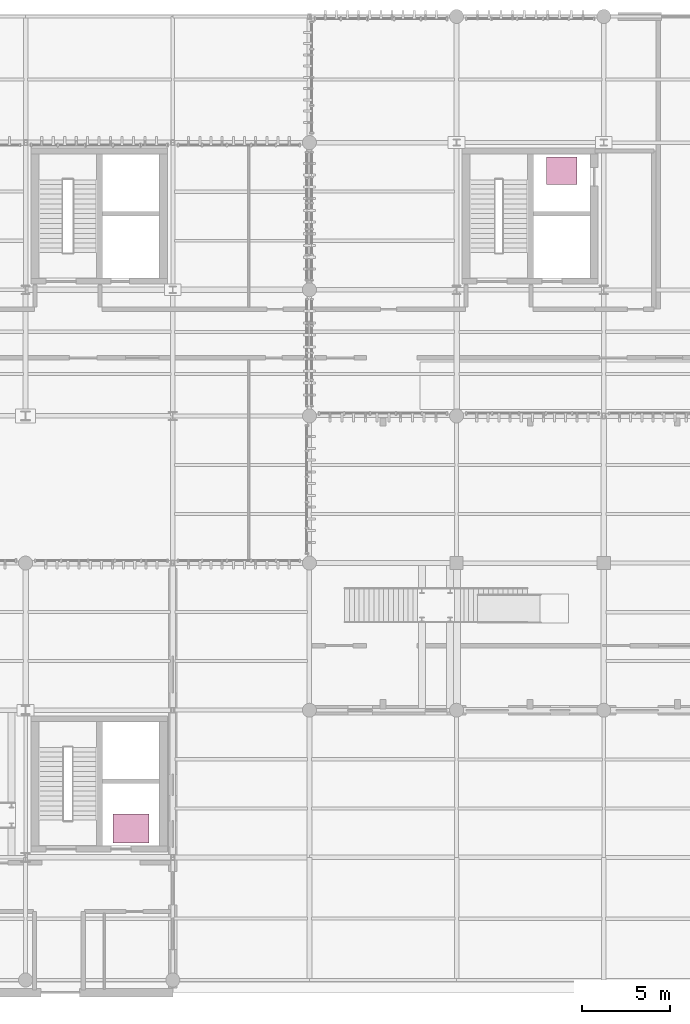
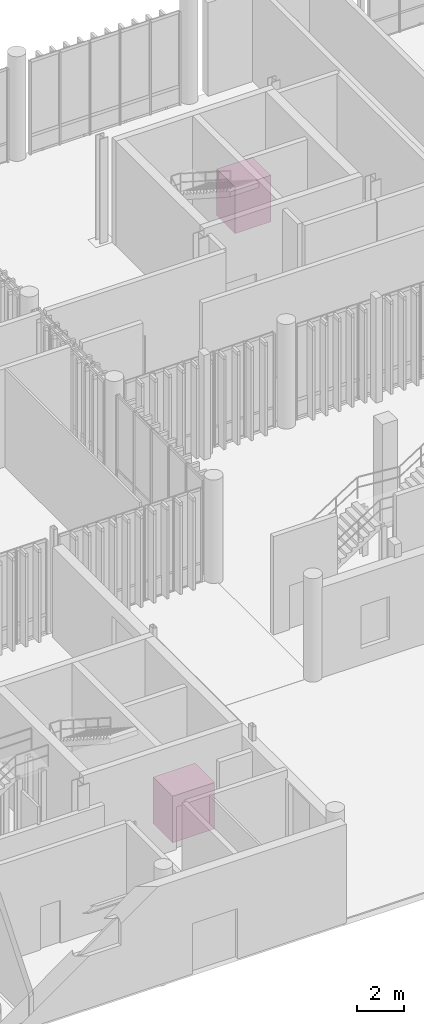
# One storey, part 112 of 112: 2 transport elements.
"""IFC4 building model written with IfcOpenShell, lengths in metres."""

from ifc_helpers import new_model, si_unit, direction, frame, origin_with_axes, origin_2d_with_axis, place, context, subcontext, project, spatial, rectangle, extrude, material, type_object, element, save


model = new_model("IFC4")

# Units and contexts
model_context = context("Model", 3, precision=1e-05, world=origin_with_axes(), true_north=direction((0.0, 1.0)))
body_context = subcontext(model_context, "Body", "Model", "MODEL_VIEW")
ifc_project = project(units=[si_unit("LENGTHUNIT", "METRE"), si_unit("AREAUNIT", "SQUARE_METRE"), si_unit("VOLUMEUNIT", "CUBIC_METRE"), si_unit("PLANEANGLEUNIT", "RADIAN"), si_unit("MASSUNIT", "GRAM", prefix="KILO"), si_unit("THERMODYNAMICTEMPERATUREUNIT", "KELVIN")], contexts=[model_context])

# Site, building, storey
site_placement = place(None, origin_with_axes())
site = spatial("IfcSite", under=ifc_project, at=site_placement, CompositionType="ELEMENT")
building_placement = place(site_placement, origin_with_axes())
building = spatial("IfcBuilding", under=site, at=building_placement, Name="Montbau Bow Law Courts", CompositionType="ELEMENT")
storey_placement = place(building_placement, origin_with_axes())
storey = spatial("IfcBuildingStorey", under=building, at=storey_placement, Name="L00", CompositionType="ELEMENT", Elevation=0.0)

# Transport elements
ifc_material_1 = material(Name="Bronze-Panelled Judicial Restricted Elevator Cab", Category="steel")
transport_element_type_1 = type_object("IfcTransportElementType", Name="ELV-JUD-1600", PredefinedType="ELEVATOR", material=ifc_material_1)
transport_element_1_placement = place(None, frame((61.205, 52.995, 0.0), z_axis=(0.0, 0.0, 1.0), x_axis=(1.0, 0.0, 0.0)))
element("IfcTransportElement", 1, at=transport_element_1_placement, inside=storey, type_object=transport_element_type_1, Name="Elevator EL-J3 car", PredefinedType="ELEVATOR", context=body_context, shape_type="SweptSolid", body=[
    extrude(rectangle(XDim=1.75, YDim=1.55, at=origin_2d_with_axis()), origin_with_axes(), (0.0, 0.0, 1.0), 2.4),
])
ifc_material_2 = material(Name="Brushed Stainless Steel Passenger Elevator Cab", Category="steel")
transport_element_type_2 = type_object("IfcTransportElementType", Name="ELV-PUB-2000", PredefinedType="ELEVATOR", material=ifc_material_2)
transport_element_2_placement = place(None, frame((36.605, 15.455, 0.0), z_axis=(0.0, 0.0, 1.0), x_axis=(1.0, 0.0, 0.0)))
element("IfcTransportElement", 2, at=transport_element_2_placement, inside=storey, type_object=transport_element_type_2, Name="Elevator EL-CER1 car", PredefinedType="ELEVATOR", context=body_context, shape_type="SweptSolid", body=[
    extrude(rectangle(XDim=2.05, YDim=1.65, at=origin_2d_with_axis()), origin_with_axes(), (0.0, 0.0, 1.0), 2.4),
])

save(model, "model.ifc")
